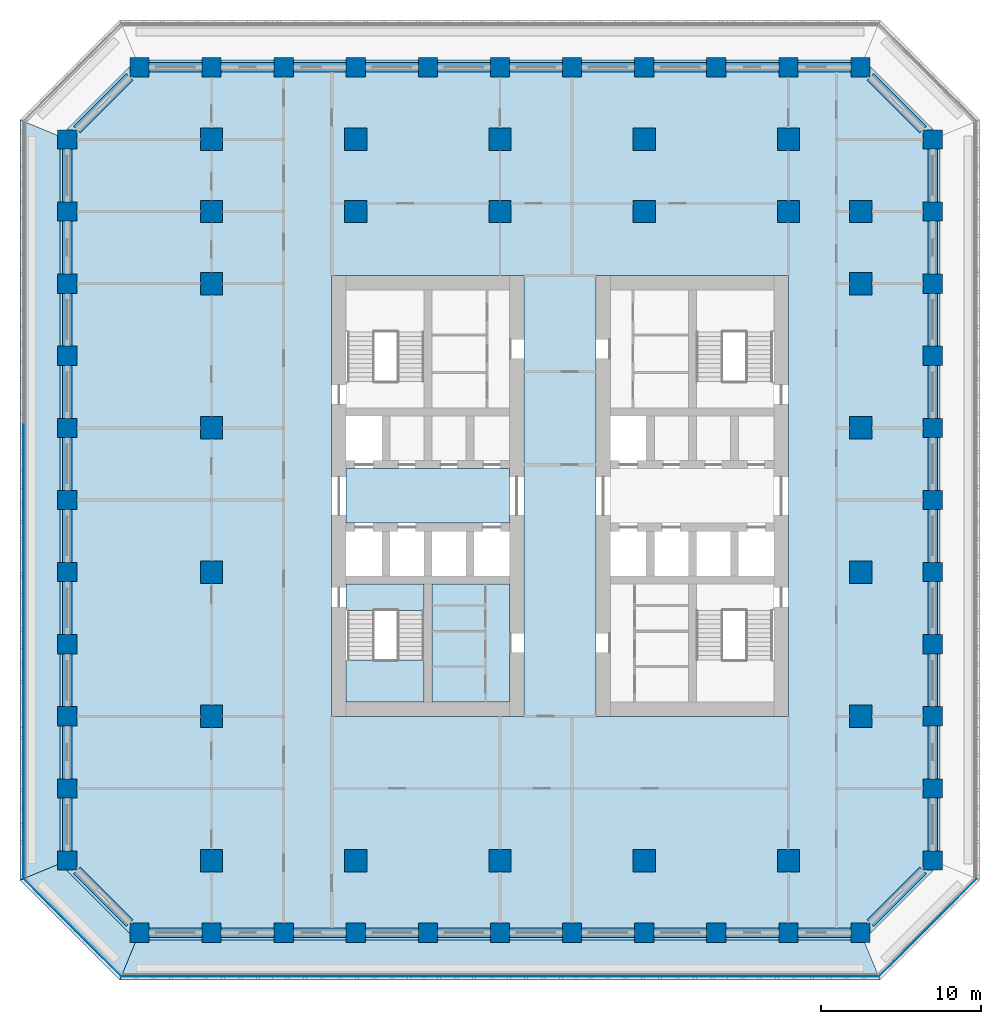
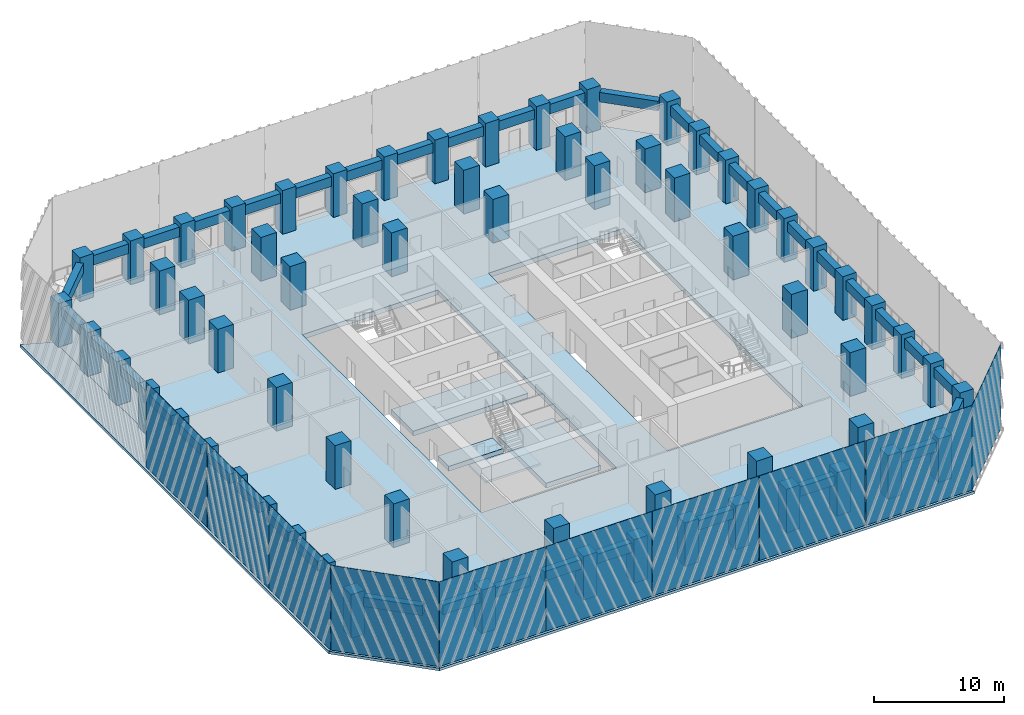
# One storey, part 1 of 19: 68 columns, 44 beams, 10 plates, 8 slabs, 1 element without a shape of its own.
"""IFC4 building model written with IfcOpenShell, lengths in metres."""

from ifc_helpers import new_model, si_unit, direction, frame, origin, origin_2d, place, context, subcontext, project, spatial, polyline, rectangle, outline, extrude, material, layer, layer_set, material_profile, profile_set, type_object, element, aggregate, save


model = new_model("IFC4")

# Units and contexts
model_context = context("Model", 3, precision=1e-05, world=origin(), true_north=direction((0.0, 1.0)))
body_context = subcontext(model_context, "Body", "Model", "MODEL_VIEW")
ifc_project = project(units=[si_unit("LENGTHUNIT", "METRE"), si_unit("AREAUNIT", "SQUARE_METRE"), si_unit("VOLUMEUNIT", "CUBIC_METRE"), si_unit("PLANEANGLEUNIT", "RADIAN"), si_unit("MASSUNIT", "GRAM", prefix="KILO")], contexts=[model_context])

# Site, building, storey
site_placement = place(None, origin())
site = spatial("IfcSite", under=ifc_project, at=site_placement, CompositionType="ELEMENT")
building_placement = place(site_placement, origin())
building = spatial("IfcBuilding", under=site, at=building_placement, Name="Corbel Stack Research Tower", CompositionType="ELEMENT")
storey_placement = place(building_placement, frame((0.0, 0.0, 133.10009765625)))
storey = spatial("IfcBuildingStorey", under=building, at=storey_placement, Name="L30", CompositionType="ELEMENT", Elevation=133.10009765625)

# Columns
ifc_material_1 = material(Name="Concrete C70/85", Category="concrete")
ifc_material_profile_1 = material_profile(ifc_material_1, rectangle(XDim=1.199951171875, YDim=1.199951171875, at=origin_2d()), Name="RC 1200 x 1200")
ifc_profile_set_1 = profile_set([ifc_material_profile_1], Name="Concrete C70/85")
column_type_1 = type_object("IfcColumnType", Name="C-1200-70", PredefinedType="COLUMN", material=ifc_profile_set_1)
for number, where, z_axis, x_axis, name in (
    (1, (-27.0, -18.0, 0.0), (0.0, 0.0, 1.0), (1.0, 0.0, 0.0), "Column 2/D L30"),
    (2, (-27.0, -13.5, 0.0), (0.0, 0.0, 1.0), (1.0, 0.0, 0.0), "Column 2/E L30"),
    (3, (-27.0, -9.0, 0.0), (0.0, 0.0, 1.0), (1.0, 0.0, 0.0), "Column 2/F L30"),
    (4, (-27.0, -4.5, 0.0), (0.0, 0.0, 1.0), (1.0, 0.0, 0.0), "Column 2/G L30"),
    (5, (-27.0, 0.0, 0.0), (0.0, 0.0, 1.0), (1.0, 0.0, 0.0), "Column 2/H L30"),
    (6, (-27.0, 4.5, 0.0), (0.0, 0.0, 1.0), (1.0, 0.0, 0.0), "Column 2/J L30"),
    (7, (-27.0, 9.0, 0.0), (0.0, 0.0, 1.0), (1.0, 0.0, 0.0), "Column 2/K L30"),
    (8, (-27.0, 13.5, 0.0), (0.0, 0.0, 1.0), (1.0, 0.0, 0.0), "Column 2/L L30"),
    (9, (-27.0, 18.0, 0.0), (0.0, 0.0, 1.0), (1.0, 0.0, 0.0), "Column 2/M L30"),
    (10, (-27.0, 22.5, 0.0), (0.0, 0.0, 1.0), (1.0, 0.0, 0.0), "Column 2/N L30"),
    (11, (-27.0, 27.0, 0.0), (0.0, 0.0, 1.0), (1.0, 0.0, 0.0), "Column 2/P L30"),
    (12, (-22.5, -22.5, 0.0), (0.0, 0.0, 1.0), (1.0, 0.0, 0.0), "Column 3/C L30"),
    (13, (-22.5, 31.5, 0.0), (0.0, 0.0, 1.0), (1.0, 0.0, 0.0), "Column 3/Q L30"),
    (14, (-18.0, -22.5, 0.0), (0.0, 0.0, 1.0), (1.0, 0.0, 0.0), "Column 4/C L30"),
    (15, (-18.0, 31.5, 0.0), (0.0, 0.0, 1.0), (1.0, 0.0, 0.0), "Column 4/Q L30"),
    (16, (-13.5, -22.5, 0.0), (0.0, 0.0, 1.0), (1.0, 0.0, 0.0), "Column 5/C L30"),
    (17, (-13.5, 31.5, 0.0), (0.0, 0.0, 1.0), (1.0, 0.0, 0.0), "Column 5/Q L30"),
    (18, (-9.0, -22.5, 0.0), (0.0, 0.0, 1.0), (1.0, 0.0, 0.0), "Column 6/C L30"),
    (19, (-9.0, 31.5, 0.0), (0.0, 0.0, 1.0), (1.0, 0.0, 0.0), "Column 6/Q L30"),
    (20, (-4.5, -22.5, 0.0), (0.0, 0.0, 1.0), (1.0, 0.0, 0.0), "Column 7/C L30"),
    (21, (-4.5, 31.5, 0.0), (0.0, 0.0, 1.0), (1.0, 0.0, 0.0), "Column 7/Q L30"),
    (22, (0.0, -22.5, 0.0), (0.0, 0.0, 1.0), (1.0, 0.0, 0.0), "Column 8/C L30"),
    (23, (0.0, 31.5, 0.0), (0.0, 0.0, 1.0), (1.0, 0.0, 0.0), "Column 8/Q L30"),
    (24, (4.5, -22.5, 0.0), (0.0, 0.0, 1.0), (1.0, 0.0, 0.0), "Column 9/C L30"),
    (25, (4.5, 31.5, 0.0), (0.0, 0.0, 1.0), (1.0, 0.0, 0.0), "Column 9/Q L30"),
    (26, (9.0, -22.5, 0.0), (0.0, 0.0, 1.0), (1.0, 0.0, 0.0), "Column 10/C L30"),
    (27, (9.0, 31.5, 0.0), (0.0, 0.0, 1.0), (1.0, 0.0, 0.0), "Column 10/Q L30"),
    (28, (13.5, -22.5, 0.0), (0.0, 0.0, 1.0), (1.0, 0.0, 0.0), "Column 11/C L30"),
    (29, (13.5, 31.5, 0.0), (0.0, 0.0, 1.0), (1.0, 0.0, 0.0), "Column 11/Q L30"),
    (30, (18.0, -22.5, 0.0), (0.0, 0.0, 1.0), (1.0, 0.0, 0.0), "Column 12/C L30"),
    (31, (18.0, 31.5, 0.0), (0.0, 0.0, 1.0), (1.0, 0.0, 0.0), "Column 12/Q L30"),
    (32, (22.5, -22.5, 0.0), (0.0, 0.0, 1.0), (1.0, 0.0, 0.0), "Column 13/C L30"),
    (33, (22.5, 31.5, 0.0), (0.0, 0.0, 1.0), (1.0, 0.0, 0.0), "Column 13/Q L30"),
    (34, (27.0, -18.0, 0.0), (0.0, 0.0, 1.0), (1.0, 0.0, 0.0), "Column 14/D L30"),
    (35, (27.0, -13.5, 0.0), (0.0, 0.0, 1.0), (1.0, 0.0, 0.0), "Column 14/E L30"),
    (36, (27.0, -9.0, 0.0), (0.0, 0.0, 1.0), (1.0, 0.0, 0.0), "Column 14/F L30"),
    (37, (27.0, -4.5, 0.0), (0.0, 0.0, 1.0), (1.0, 0.0, 0.0), "Column 14/G L30"),
    (38, (27.0, 0.0, 0.0), (0.0, 0.0, 1.0), (1.0, 0.0, 0.0), "Column 14/H L30"),
    (39, (27.0, 4.5, 0.0), (0.0, 0.0, 1.0), (1.0, 0.0, 0.0), "Column 14/J L30"),
    (40, (27.0, 9.0, 0.0), (0.0, 0.0, 1.0), (1.0, 0.0, 0.0), "Column 14/K L30"),
    (41, (27.0, 13.5, 0.0), (0.0, 0.0, 1.0), (1.0, 0.0, 0.0), "Column 14/L L30"),
    (42, (27.0, 18.0, 0.0), (0.0, 0.0, 1.0), (1.0, 0.0, 0.0), "Column 14/M L30"),
    (43, (27.0, 22.5, 0.0), (0.0, 0.0, 1.0), (1.0, 0.0, 0.0), "Column 14/N L30"),
    (44, (27.0, 27.0, 0.0), (0.0, 0.0, 1.0), (1.0, 0.0, 0.0), "Column 14/P L30"),
):
    element("IfcColumn", number, at=place(storey_placement, frame(where, z_axis=z_axis, x_axis=x_axis)), inside=storey, type_object=column_type_1, Name=name, PredefinedType="COLUMN", context=body_context, shape_type="SweptSolid", body=[
        extrude(rectangle(XDim=1.199951171875, YDim=1.199951171875, at=origin_2d()), origin(), (0.0, 0.0, 1.0), 4.099853515625),
    ])
ifc_material_2 = material(Name="Concrete C70/85", Category="concrete")
ifc_material_profile_2 = material_profile(ifc_material_2, rectangle(XDim=1.39990234375, YDim=1.39990234375, at=origin_2d()), Name="RC 1400 x 1400")
ifc_profile_set_2 = profile_set([ifc_material_profile_2], Name="Concrete C70/85")
column_type_2 = type_object("IfcColumnType", Name="C-1400-70", PredefinedType="COLUMN", material=ifc_profile_set_2)
for number, where, z_axis, x_axis, name in (
    (45, (-18.0, -18.0, 0.0), (0.0, 0.0, 1.0), (1.0, 0.0, 0.0), "Column 4/D L30"),
    (46, (-18.0, -9.0, 0.0), (0.0, 0.0, 1.0), (1.0, 0.0, 0.0), "Column 4/F L30"),
    (47, (-18.0, 0.0, 0.0), (0.0, 0.0, 1.0), (1.0, 0.0, 0.0), "Column 4/H L30"),
    (48, (-18.0, 9.0, 0.0), (0.0, 0.0, 1.0), (1.0, 0.0, 0.0), "Column 4/K L30"),
    (49, (-18.0, 18.0, 0.0), (0.0, 0.0, 1.0), (1.0, 0.0, 0.0), "Column 4/M L30"),
    (50, (-18.0, 22.5, 0.0), (0.0, 0.0, 1.0), (1.0, 0.0, 0.0), "Column 4/N L30"),
    (51, (-18.0, 27.0, 0.0), (0.0, 0.0, 1.0), (1.0, 0.0, 0.0), "Column 4/P L30"),
    (52, (-9.0, -18.0, 0.0), (0.0, 0.0, 1.0), (1.0, 0.0, 0.0), "Column 6/D L30"),
    (53, (-9.0, 22.5, 0.0), (0.0, 0.0, 1.0), (1.0, 0.0, 0.0), "Column 6/N L30"),
    (54, (-9.0, 27.0, 0.0), (0.0, 0.0, 1.0), (1.0, 0.0, 0.0), "Column 6/P L30"),
    (55, (0.0, -18.0, 0.0), (0.0, 0.0, 1.0), (1.0, 0.0, 0.0), "Column 8/D L30"),
    (56, (0.0, 22.5, 0.0), (0.0, 0.0, 1.0), (1.0, 0.0, 0.0), "Column 8/N L30"),
    (57, (0.0, 27.0, 0.0), (0.0, 0.0, 1.0), (1.0, 0.0, 0.0), "Column 8/P L30"),
    (58, (9.0, -18.0, 0.0), (0.0, 0.0, 1.0), (1.0, 0.0, 0.0), "Column 10/D L30"),
    (59, (9.0, 22.5, 0.0), (0.0, 0.0, 1.0), (1.0, 0.0, 0.0), "Column 10/N L30"),
    (60, (9.0, 27.0, 0.0), (0.0, 0.0, 1.0), (1.0, 0.0, 0.0), "Column 10/P L30"),
    (61, (18.0, -18.0, 0.0), (0.0, 0.0, 1.0), (1.0, 0.0, 0.0), "Column 12/D L30"),
    (62, (18.0, 22.5, 0.0), (0.0, 0.0, 1.0), (1.0, 0.0, 0.0), "Column 12/N L30"),
    (63, (18.0, 27.0, 0.0), (0.0, 0.0, 1.0), (1.0, 0.0, 0.0), "Column 12/P L30"),
    (64, (22.5, -9.0, 0.0), (0.0, 0.0, 1.0), (1.0, 0.0, 0.0), "Column 13/F L30"),
    (65, (22.5, 0.0, 0.0), (0.0, 0.0, 1.0), (1.0, 0.0, 0.0), "Column 13/H L30"),
    (66, (22.5, 9.0, 0.0), (0.0, 0.0, 1.0), (1.0, 0.0, 0.0), "Column 13/K L30"),
    (67, (22.5, 18.0, 0.0), (0.0, 0.0, 1.0), (1.0, 0.0, 0.0), "Column 13/M L30"),
    (68, (22.5, 22.5, 0.0), (0.0, 0.0, 1.0), (1.0, 0.0, 0.0), "Column 13/N L30"),
):
    element("IfcColumn", number, at=place(storey_placement, frame(where, z_axis=z_axis, x_axis=x_axis)), inside=storey, type_object=column_type_2, Name=name, PredefinedType="COLUMN", context=body_context, shape_type="SweptSolid", body=[
        extrude(rectangle(XDim=1.39990234375, YDim=1.39990234375, at=origin_2d()), origin(), (0.0, 0.0, 1.0), 4.099853515625),
    ])

# Beams
ifc_material_3 = material(Name="Concrete C60/75", Category="concrete")
ifc_material_profile_3 = material_profile(ifc_material_3, rectangle(XDim=0.60009765625, YDim=0.89990234375, at=origin_2d()), Name="RC 600 x 900")
ifc_profile_set_3 = profile_set([ifc_material_profile_3], Name="Concrete C60/75")
beam_type = type_object("IfcBeamType", Name="SB-600-900-450", PredefinedType="SPANDREL", material=ifc_profile_set_3)
for number, where, z_axis, x_axis, name in (
    (69, (-21.89990234375, -22.5, 3.199951171875), (1.0, 0.0, 0.0), (0.0, 1.0, 0.0), "Spandrel beam L30-01"),
    (70, (-17.39990234375, -22.5, 3.199951171875), (1.0, 0.0, 0.0), (0.0, 1.0, 0.0), "Spandrel beam L30-02"),
    (71, (-12.89990234375, -22.5, 3.199951171875), (1.0, 0.0, 0.0), (0.0, 1.0, 0.0), "Spandrel beam L30-03"),
    (72, (-8.39990234375, -22.5, 3.199951171875), (1.0, 0.0, 0.0), (0.0, 1.0, 0.0), "Spandrel beam L30-04"),
    (73, (-3.89990234375, -22.5, 3.199951171875), (1.0, 0.0, 0.0), (0.0, 1.0, 0.0), "Spandrel beam L30-05"),
    (74, (0.60009765625, -22.5, 3.199951171875), (1.0, 0.0, 0.0), (0.0, 1.0, 0.0), "Spandrel beam L30-06"),
    (75, (5.10009765625, -22.5, 3.199951171875), (1.0, 0.0, 0.0), (0.0, 1.0, 0.0), "Spandrel beam L30-07"),
    (76, (9.60009765625, -22.5, 3.199951171875), (1.0, 0.0, 0.0), (0.0, 1.0, 0.0), "Spandrel beam L30-08"),
    (77, (14.10009765625, -22.5, 3.199951171875), (1.0, 0.0, 0.0), (0.0, 1.0, 0.0), "Spandrel beam L30-09"),
    (78, (18.60009765625, -22.5, 3.199951171875), (1.0, 0.0, 0.0), (0.0, 1.0, 0.0), "Spandrel beam L30-10"),
):
    element("IfcBeam", number, at=place(storey_placement, frame(where, z_axis=z_axis, x_axis=x_axis)), inside=storey, type_object=beam_type, Name=name, PredefinedType="SPANDREL", context=body_context, shape_type="SweptSolid", body=[
        extrude(rectangle(XDim=0.60009765625, YDim=0.89990234375, at=origin_2d()), origin(), (0.0, 0.0, 1.0), 3.2998046875),
    ])
beam_1_placement = place(storey_placement, frame((23.10009765625, -21.89990234375, 3.199951171875), z_axis=(0.707106781187, 0.707106781187, 0.0), x_axis=(-0.707106781187, 0.707106781187, 0.0)))
element("IfcBeam", 79, at=beam_1_placement, inside=storey, type_object=beam_type, Name="Spandrel beam L30-11", PredefinedType="SPANDREL", context=body_context, shape_type="SweptSolid", body=[
    extrude(rectangle(XDim=0.60009765625, YDim=0.89990234375, at=origin_2d()), origin(), (0.0, 0.0, 1.0), 4.666748046875),
])
for number, where, z_axis, x_axis, name in (
    (80, (27.0, -17.39990234375, 3.199951171875), (0.0, 1.0, 0.0), (-1.0, 0.0, 0.0), "Spandrel beam L30-12"),
    (81, (27.0, -12.89990234375, 3.199951171875), (0.0, 1.0, 0.0), (-1.0, 0.0, 0.0), "Spandrel beam L30-13"),
    (82, (27.0, -8.39990234375, 3.199951171875), (0.0, 1.0, 0.0), (-1.0, 0.0, 0.0), "Spandrel beam L30-14"),
    (83, (27.0, -3.89990234375, 3.199951171875), (0.0, 1.0, 0.0), (-1.0, 0.0, 0.0), "Spandrel beam L30-15"),
    (84, (27.0, 0.60009765625, 3.199951171875), (0.0, 1.0, 0.0), (-1.0, 0.0, 0.0), "Spandrel beam L30-16"),
    (85, (27.0, 5.10009765625, 3.199951171875), (0.0, 1.0, 0.0), (-1.0, 0.0, 0.0), "Spandrel beam L30-17"),
    (86, (27.0, 9.60009765625, 3.199951171875), (0.0, 1.0, 0.0), (-1.0, 0.0, 0.0), "Spandrel beam L30-18"),
    (87, (27.0, 14.10009765625, 3.199951171875), (0.0, 1.0, 0.0), (-1.0, 0.0, 0.0), "Spandrel beam L30-19"),
    (88, (27.0, 18.60009765625, 3.199951171875), (0.0, 1.0, 0.0), (-1.0, 0.0, 0.0), "Spandrel beam L30-20"),
    (89, (27.0, 23.10009765625, 3.199951171875), (0.0, 1.0, 0.0), (-1.0, 0.0, 0.0), "Spandrel beam L30-21"),
):
    element("IfcBeam", number, at=place(storey_placement, frame(where, z_axis=z_axis, x_axis=x_axis)), inside=storey, type_object=beam_type, Name=name, PredefinedType="SPANDREL", context=body_context, shape_type="SweptSolid", body=[
        extrude(rectangle(XDim=0.60009765625, YDim=0.89990234375, at=origin_2d()), origin(), (0.0, 0.0, 1.0), 3.2998046875),
    ])
beam_2_placement = place(storey_placement, frame((26.39990234375, 27.60009765625, 3.199951171875), z_axis=(-0.707106781187, 0.707106781187, 0.0), x_axis=(-0.707106781187, -0.707106781187, 0.0)))
element("IfcBeam", 90, at=beam_2_placement, inside=storey, type_object=beam_type, Name="Spandrel beam L30-22", PredefinedType="SPANDREL", context=body_context, shape_type="SweptSolid", body=[
    extrude(rectangle(XDim=0.60009765625, YDim=0.89990234375, at=origin_2d()), origin(), (0.0, 0.0, 1.0), 4.666748046875),
])
for number, where, z_axis, x_axis, name in (
    (91, (21.89990234375, 31.5, 3.199951171875), (-1.0, 0.0, 0.0), (0.0, -1.0, 0.0), "Spandrel beam L30-23"),
    (92, (17.39990234375, 31.5, 3.199951171875), (-1.0, 0.0, 0.0), (0.0, -1.0, 0.0), "Spandrel beam L30-24"),
    (93, (12.89990234375, 31.5, 3.199951171875), (-1.0, 0.0, 0.0), (0.0, -1.0, 0.0), "Spandrel beam L30-25"),
    (94, (8.39990234375, 31.5, 3.199951171875), (-1.0, 0.0, 0.0), (0.0, -1.0, 0.0), "Spandrel beam L30-26"),
    (95, (3.89990234375, 31.5, 3.199951171875), (-1.0, 0.0, 0.0), (0.0, -1.0, 0.0), "Spandrel beam L30-27"),
    (96, (-0.60009765625, 31.5, 3.199951171875), (-1.0, 0.0, 0.0), (0.0, -1.0, 0.0), "Spandrel beam L30-28"),
    (97, (-5.10009765625, 31.5, 3.199951171875), (-1.0, 0.0, 0.0), (0.0, -1.0, 0.0), "Spandrel beam L30-29"),
    (98, (-9.60009765625, 31.5, 3.199951171875), (-1.0, 0.0, 0.0), (0.0, -1.0, 0.0), "Spandrel beam L30-30"),
    (99, (-14.10009765625, 31.5, 3.199951171875), (-1.0, 0.0, 0.0), (0.0, -1.0, 0.0), "Spandrel beam L30-31"),
    (100, (-18.60009765625, 31.5, 3.199951171875), (-1.0, 0.0, 0.0), (0.0, -1.0, 0.0), "Spandrel beam L30-32"),
):
    element("IfcBeam", number, at=place(storey_placement, frame(where, z_axis=z_axis, x_axis=x_axis)), inside=storey, type_object=beam_type, Name=name, PredefinedType="SPANDREL", context=body_context, shape_type="SweptSolid", body=[
        extrude(rectangle(XDim=0.60009765625, YDim=0.89990234375, at=origin_2d()), origin(), (0.0, 0.0, 1.0), 3.2998046875),
    ])
beam_3_placement = place(storey_placement, frame((-23.10009765625, 30.89990234375, 3.199951171875), z_axis=(-0.707106781187, -0.707106781187, 0.0), x_axis=(0.707106781187, -0.707106781187, 0.0)))
element("IfcBeam", 101, at=beam_3_placement, inside=storey, type_object=beam_type, Name="Spandrel beam L30-33", PredefinedType="SPANDREL", context=body_context, shape_type="SweptSolid", body=[
    extrude(rectangle(XDim=0.60009765625, YDim=0.89990234375, at=origin_2d()), origin(), (0.0, 0.0, 1.0), 4.666748046875),
])
for number, where, z_axis, x_axis, name in (
    (102, (-27.0, 26.39990234375, 3.199951171875), (0.0, -1.0, 0.0), (1.0, 0.0, 0.0), "Spandrel beam L30-34"),
    (103, (-27.0, 21.89990234375, 3.199951171875), (0.0, -1.0, 0.0), (1.0, 0.0, 0.0), "Spandrel beam L30-35"),
    (104, (-27.0, 17.39990234375, 3.199951171875), (0.0, -1.0, 0.0), (1.0, 0.0, 0.0), "Spandrel beam L30-36"),
    (105, (-27.0, 12.89990234375, 3.199951171875), (0.0, -1.0, 0.0), (1.0, 0.0, 0.0), "Spandrel beam L30-37"),
    (106, (-27.0, 8.39990234375, 3.199951171875), (0.0, -1.0, 0.0), (1.0, 0.0, 0.0), "Spandrel beam L30-38"),
    (107, (-27.0, 3.89990234375, 3.199951171875), (0.0, -1.0, 0.0), (1.0, 0.0, 0.0), "Spandrel beam L30-39"),
    (108, (-27.0, -0.60009765625, 3.199951171875), (0.0, -1.0, 0.0), (1.0, 0.0, 0.0), "Spandrel beam L30-40"),
    (109, (-27.0, -5.10009765625, 3.199951171875), (0.0, -1.0, 0.0), (1.0, 0.0, 0.0), "Spandrel beam L30-41"),
    (110, (-27.0, -9.60009765625, 3.199951171875), (0.0, -1.0, 0.0), (1.0, 0.0, 0.0), "Spandrel beam L30-42"),
    (111, (-27.0, -14.10009765625, 3.199951171875), (0.0, -1.0, 0.0), (1.0, 0.0, 0.0), "Spandrel beam L30-43"),
):
    element("IfcBeam", number, at=place(storey_placement, frame(where, z_axis=z_axis, x_axis=x_axis)), inside=storey, type_object=beam_type, Name=name, PredefinedType="SPANDREL", context=body_context, shape_type="SweptSolid", body=[
        extrude(rectangle(XDim=0.60009765625, YDim=0.89990234375, at=origin_2d()), origin(), (0.0, 0.0, 1.0), 3.2998046875),
    ])
beam_4_placement = place(storey_placement, frame((-26.39990234375, -18.60009765625, 3.199951171875), z_axis=(0.707106781187, -0.707106781187, 0.0), x_axis=(0.707106781187, 0.707106781187, 0.0)))
element("IfcBeam", 112, at=beam_4_placement, inside=storey, type_object=beam_type, Name="Spandrel beam L30-44", PredefinedType="SPANDREL", context=body_context, shape_type="SweptSolid", body=[
    extrude(rectangle(XDim=0.60009765625, YDim=0.89990234375, at=origin_2d()), origin(), (0.0, 0.0, 1.0), 4.666748046875),
])

# Plates
ifc_material_4 = material(Name="Fritted glass", Category="glass")
ifc_layer_1 = layer(ifc_material_4, 0.02490234375)
ifc_layer_set_1 = layer_set([ifc_layer_1], Name="Fritted glass")
plate_type = type_object("IfcPlateType", Name="Fritted glass panel 25", PredefinedType="SHEET", material=ifc_layer_set_1)
for number, where, z_axis, x_axis, name in (
    (113, (-18.911376953125, -25.237548828125, 0.0), (0.0, 0.0, 1.0), (1.0, 0.0, 0.0), "Fritted glass L30 S1"),
    (114, (-9.45556640625, -25.237548828125, 0.0), (0.0, 0.0, 1.0), (1.0, 0.0, 0.0), "Fritted glass L30 S2"),
    (115, (0.0, -25.237548828125, 0.0), (0.0, 0.0, 1.0), (1.0, 0.0, 0.0), "Fritted glass L30 S3"),
    (116, (9.45556640625, -25.237548828125, 0.0), (0.0, 0.0, 1.0), (1.0, 0.0, 0.0), "Fritted glass L30 S4"),
    (117, (18.911376953125, -25.237548828125, 0.0), (0.0, 0.0, 1.0), (1.0, 0.0, 0.0), "Fritted glass L30 S5"),
):
    element("IfcPlate", number, at=place(storey_placement, frame(where, z_axis=z_axis, x_axis=x_axis)), inside=storey, type_object=plate_type, Name=name, PredefinedType="SHEET", context=body_context, shape_type="SweptSolid", body=[
        extrude(rectangle(XDim=9.3955078125, YDim=0.02490234375, at=origin_2d()), origin(), (0.0, 0.0, 1.0), 7.949951171875),
    ])
plate_1_placement = place(storey_placement, frame((26.685791015625, -22.185791015625, 0.0), z_axis=(0.0, 0.0, 1.0), x_axis=(0.707106781187, 0.707106781187, 0.0)))
element("IfcPlate", 118, at=plate_1_placement, inside=storey, type_object=plate_type, Name="Fritted glass L30 SE1", PredefinedType="SHEET", context=body_context, shape_type="SweptSolid", body=[
    extrude(rectangle(XDim=8.58203125, YDim=0.02490234375, at=origin_2d()), origin(), (0.0, 0.0, 1.0), 7.949951171875),
])
for number, where, z_axis, x_axis, name in (
    (119, (-29.737548828125, 4.5, 0.0), (0.0, 0.0, 1.0), (0.0, -1.0, 0.0), "Fritted glass L30 W3"),
    (120, (-29.737548828125, -4.95556640625, 0.0), (0.0, 0.0, 1.0), (0.0, -1.0, 0.0), "Fritted glass L30 W4"),
    (121, (-29.737548828125, -14.411376953125, 0.0), (0.0, 0.0, 1.0), (0.0, -1.0, 0.0), "Fritted glass L30 W5"),
):
    element("IfcPlate", number, at=place(storey_placement, frame(where, z_axis=z_axis, x_axis=x_axis)), inside=storey, type_object=plate_type, Name=name, PredefinedType="SHEET", context=body_context, shape_type="SweptSolid", body=[
        extrude(rectangle(XDim=9.3955078125, YDim=0.02490234375, at=origin_2d()), origin(), (0.0, 0.0, 1.0), 7.949951171875),
    ])
plate_2_placement = place(storey_placement, frame((-26.685791015625, -22.185791015625, 0.0), z_axis=(0.0, 0.0, 1.0), x_axis=(0.707106781187, -0.707106781187, 0.0)))
element("IfcPlate", 122, at=plate_2_placement, inside=storey, type_object=plate_type, Name="Fritted glass L30 SW1", PredefinedType="SHEET", context=body_context, shape_type="SweptSolid", body=[
    extrude(rectangle(XDim=8.58203125, YDim=0.02490234375, at=origin_2d()), origin(), (0.0, 0.0, 1.0), 7.949951171875),
])

# Slabs
ifc_material_5 = material(Name="Concrete C45/55", Category="concrete")
ifc_layer_2 = layer(ifc_material_5, 0.25)
ifc_layer_set_2 = layer_set([ifc_layer_2], Name="Concrete C45/55")
slab_type_1 = type_object("IfcSlabType", Name="PT balcony slab 250 C45/55", PredefinedType="FLOOR", material=ifc_layer_set_2)
slab_1_placement = place(storey_placement, frame((0.0, 0.0, -0.25)))
element("IfcSlab", 123, at=slab_1_placement, inside=storey, type_object=slab_type_1, Name="Loggia slab L30 S", PredefinedType="FLOOR", context=body_context, shape_type="SweptSolid", body=[
    extrude(outline(polyline([(22.74853515625, -23.10009765625), (21.89990234375, -23.10009765625), (21.89990234375, -22.949951171875), (18.60009765625, -22.949951171875), (18.60009765625, -23.10009765625), (17.39990234375, -23.10009765625), (17.39990234375, -22.949951171875), (14.10009765625, -22.949951171875), (14.10009765625, -23.10009765625), (12.89990234375, -23.10009765625), (12.89990234375, -22.949951171875), (9.60009765625, -22.949951171875), (9.60009765625, -23.10009765625), (8.39990234375, -23.10009765625), (8.39990234375, -22.949951171875), (5.10009765625, -22.949951171875), (5.10009765625, -23.10009765625), (3.89990234375, -23.10009765625), (3.89990234375, -22.949951171875), (0.60009765625, -22.949951171875), (0.60009765625, -23.10009765625), (-0.60009765625, -23.10009765625), (-0.60009765625, -22.949951171875), (-3.89990234375, -22.949951171875), (-3.89990234375, -23.10009765625), (-5.10009765625, -23.10009765625), (-5.10009765625, -22.949951171875), (-8.39990234375, -22.949951171875), (-8.39990234375, -23.10009765625), (-9.60009765625, -23.10009765625), (-9.60009765625, -22.949951171875), (-12.89990234375, -22.949951171875), (-12.89990234375, -23.10009765625), (-14.10009765625, -23.10009765625), (-14.10009765625, -22.949951171875), (-17.39990234375, -22.949951171875), (-17.39990234375, -23.10009765625), (-18.60009765625, -23.10009765625), (-18.60009765625, -22.949951171875), (-21.89990234375, -22.949951171875), (-21.89990234375, -23.10009765625), (-22.74853515625, -23.10009765625), (-23.721923828125, -25.449951171875), (23.721923828125, -25.449951171875), (22.74853515625, -23.10009765625)])), origin(), (0.0, 0.0, 1.0), 0.25),
])
slab_2_placement = place(storey_placement, frame((0.0, 0.0, -0.25)))
element("IfcSlab", 124, at=slab_2_placement, inside=storey, type_object=slab_type_1, Name="Loggia slab L30 W", PredefinedType="FLOOR", context=body_context, shape_type="SweptSolid", body=[
    extrude(outline(polyline([(-27.60009765625, -18.24853515625), (-27.60009765625, -17.39990234375), (-27.449951171875, -17.39990234375), (-27.449951171875, -14.10009765625), (-27.60009765625, -14.10009765625), (-27.60009765625, -12.89990234375), (-27.449951171875, -12.89990234375), (-27.449951171875, -9.60009765625), (-27.60009765625, -9.60009765625), (-27.60009765625, -8.39990234375), (-27.449951171875, -8.39990234375), (-27.449951171875, -5.10009765625), (-27.60009765625, -5.10009765625), (-27.60009765625, -3.89990234375), (-27.449951171875, -3.89990234375), (-27.449951171875, -0.60009765625), (-27.60009765625, -0.60009765625), (-27.60009765625, 0.60009765625), (-27.449951171875, 0.60009765625), (-27.449951171875, 3.89990234375), (-27.60009765625, 3.89990234375), (-27.60009765625, 5.10009765625), (-27.449951171875, 5.10009765625), (-27.449951171875, 8.39990234375), (-27.60009765625, 8.39990234375), (-27.60009765625, 9.60009765625), (-27.449951171875, 9.60009765625), (-27.449951171875, 12.89990234375), (-27.60009765625, 12.89990234375), (-27.60009765625, 14.10009765625), (-27.449951171875, 14.10009765625), (-27.449951171875, 17.39990234375), (-27.60009765625, 17.39990234375), (-27.60009765625, 18.60009765625), (-27.449951171875, 18.60009765625), (-27.449951171875, 21.89990234375), (-27.60009765625, 21.89990234375), (-27.60009765625, 23.10009765625), (-27.449951171875, 23.10009765625), (-27.449951171875, 26.39990234375), (-27.60009765625, 26.39990234375), (-27.60009765625, 27.24853515625), (-29.949951171875, 28.221923828125), (-29.949951171875, -19.221923828125), (-27.60009765625, -18.24853515625)])), origin(), (0.0, 0.0, 1.0), 0.25),
])
slab_3_placement = place(storey_placement, frame((0.0, 0.0, -0.25)))
element("IfcSlab", 125, at=slab_3_placement, inside=storey, type_object=slab_type_1, Name="Loggia slab L30 SW", PredefinedType="FLOOR", context=body_context, shape_type="SweptSolid", body=[
    extrude(outline(polyline([(-22.74853515625, -23.10009765625), (-23.10009765625, -23.10009765625), (-23.10009765625, -22.536376953125), (-27.036376953125, -18.60009765625), (-27.60009765625, -18.60009765625), (-27.60009765625, -18.24853515625), (-29.949951171875, -19.221923828125), (-23.721923828125, -25.449951171875), (-22.74853515625, -23.10009765625)])), origin(), (0.0, 0.0, 1.0), 0.25),
])
ifc_material_6 = material(Name="Concrete C45/55", Category="concrete")
ifc_layer_3 = layer(ifc_material_6, 0.449951171875)
ifc_layer_set_3 = layer_set([ifc_layer_3], Name="Concrete C45/55")
slab_type_2 = type_object("IfcSlabType", Name="PT-450", PredefinedType="FLOOR", material=ifc_layer_set_3)
slab_4_placement = place(storey_placement, frame((0.0, 0.0, -0.4501953125)))
element("IfcSlab", 126, at=slab_4_placement, inside=storey, type_object=slab_type_2, Name="Floor slab L30", PredefinedType="FLOOR", context=body_context, shape_type="SweptSolid", body=[
    extrude(outline(polyline([(-22.686279296875, -22.949951171875), (22.686279296875, -22.949951171875), (27.449951171875, -18.186279296875), (27.449951171875, 27.186279296875), (22.686279296875, 31.949951171875), (-22.686279296875, 31.949951171875), (-27.449951171875, 27.186279296875), (-27.449951171875, -18.186279296875), (-22.686279296875, -22.949951171875)]), holes=[polyline([(21.800048828125, 21.800048828125), (21.800048828125, 23.199951171875), (23.199951171875, 23.199951171875), (23.199951171875, 21.800048828125), (21.800048828125, 21.800048828125)]), polyline([(23.199951171875, 17.300048828125), (21.800048828125, 17.300048828125), (21.800048828125, 18.699951171875), (23.199951171875, 18.699951171875), (23.199951171875, 17.300048828125)]), polyline([(21.800048828125, 8.300048828125), (21.800048828125, 9.699951171875), (23.199951171875, 9.699951171875), (23.199951171875, 8.300048828125), (21.800048828125, 8.300048828125)]), polyline([(23.199951171875, -0.699951171875), (21.800048828125, -0.699951171875), (21.800048828125, 0.699951171875), (23.199951171875, 0.699951171875), (23.199951171875, -0.699951171875)]), polyline([(21.800048828125, -9.699951171875), (21.800048828125, -8.300048828125), (23.199951171875, -8.300048828125), (23.199951171875, -9.699951171875), (21.800048828125, -9.699951171875)]), polyline([(17.300048828125, 26.300048828125), (17.300048828125, 27.699951171875), (18.699951171875, 27.699951171875), (18.699951171875, 26.300048828125), (17.300048828125, 26.300048828125)]), polyline([(17.300048828125, 21.800048828125), (17.300048828125, 23.199951171875), (18.699951171875, 23.199951171875), (18.699951171875, 21.800048828125), (17.300048828125, 21.800048828125)]), polyline([(17.300048828125, -18.699951171875), (17.300048828125, -17.300048828125), (18.699951171875, -17.300048828125), (18.699951171875, -18.699951171875), (17.300048828125, -18.699951171875)]), polyline([(6.0, -9.0), (6.0, 18.5), (18.0, 18.5), (18.0, -9.0), (6.0, -9.0)]), polyline([(8.300048828125, 26.300048828125), (8.300048828125, 27.699951171875), (9.699951171875, 27.699951171875), (9.699951171875, 26.300048828125), (8.300048828125, 26.300048828125)]), polyline([(8.300048828125, 21.800048828125), (8.300048828125, 23.199951171875), (9.699951171875, 23.199951171875), (9.699951171875, 21.800048828125), (8.300048828125, 21.800048828125)]), polyline([(9.699951171875, -18.699951171875), (8.300048828125, -18.699951171875), (8.300048828125, -17.300048828125), (9.699951171875, -17.300048828125), (9.699951171875, -18.699951171875)]), polyline([(-10.5, -9.0), (-10.5, 18.5), (1.5, 18.5), (1.5, -9.0), (-10.5, -9.0)]), polyline([(-0.699951171875, 26.300048828125), (-0.699951171875, 27.699951171875), (0.699951171875, 27.699951171875), (0.699951171875, 26.300048828125), (-0.699951171875, 26.300048828125)]), polyline([(-0.699951171875, 21.800048828125), (-0.699951171875, 23.199951171875), (0.699951171875, 23.199951171875), (0.699951171875, 21.800048828125), (-0.699951171875, 21.800048828125)]), polyline([(-0.699951171875, -18.699951171875), (-0.699951171875, -17.300048828125), (0.699951171875, -17.300048828125), (0.699951171875, -18.699951171875), (-0.699951171875, -18.699951171875)]), polyline([(-9.699951171875, 26.300048828125), (-9.699951171875, 27.699951171875), (-8.300048828125, 27.699951171875), (-8.300048828125, 26.300048828125), (-9.699951171875, 26.300048828125)]), polyline([(-9.699951171875, 21.800048828125), (-9.699951171875, 23.199951171875), (-8.300048828125, 23.199951171875), (-8.300048828125, 21.800048828125), (-9.699951171875, 21.800048828125)]), polyline([(-9.699951171875, -18.699951171875), (-9.699951171875, -17.300048828125), (-8.300048828125, -17.300048828125), (-8.300048828125, -18.699951171875), (-9.699951171875, -18.699951171875)]), polyline([(-18.699951171875, 26.300048828125), (-18.699951171875, 27.699951171875), (-17.300048828125, 27.699951171875), (-17.300048828125, 26.300048828125), (-18.699951171875, 26.300048828125)]), polyline([(-18.699951171875, 21.800048828125), (-18.699951171875, 23.199951171875), (-17.300048828125, 23.199951171875), (-17.300048828125, 21.800048828125), (-18.699951171875, 21.800048828125)]), polyline([(-18.699951171875, 17.300048828125), (-18.699951171875, 18.699951171875), (-17.300048828125, 18.699951171875), (-17.300048828125, 17.300048828125), (-18.699951171875, 17.300048828125)]), polyline([(-17.300048828125, 8.300048828125), (-18.699951171875, 8.300048828125), (-18.699951171875, 9.699951171875), (-17.300048828125, 9.699951171875), (-17.300048828125, 8.300048828125)]), polyline([(-18.699951171875, -0.699951171875), (-18.699951171875, 0.699951171875), (-17.300048828125, 0.699951171875), (-17.300048828125, -0.699951171875), (-18.699951171875, -0.699951171875)]), polyline([(-17.300048828125, -9.699951171875), (-18.699951171875, -9.699951171875), (-18.699951171875, -8.300048828125), (-17.300048828125, -8.300048828125), (-17.300048828125, -9.699951171875)]), polyline([(-17.300048828125, -18.699951171875), (-18.699951171875, -18.699951171875), (-18.699951171875, -17.300048828125), (-17.300048828125, -17.300048828125), (-17.300048828125, -18.699951171875)])]), origin(), (0.0, 0.0, 1.0), 0.4501953125),
])
slab_5_placement = place(storey_placement, frame((0.0, 0.0, -0.4501953125)))
element("IfcSlab", 127, at=slab_5_placement, inside=storey, type_object=slab_type_2, Name="West core floor L30", PredefinedType="FLOOR", context=body_context, shape_type="SweptSolid", body=[
    extrude(outline(polyline([(0.60009765625, 6.449951171875), (-9.60009765625, 6.449951171875), (-9.60009765625, 3.050048828125), (0.60009765625, 3.050048828125), (0.60009765625, 6.449951171875)])), origin(), (0.0, 0.0, 1.0), 0.4501953125),
])
slab_6_placement = place(storey_placement, frame((0.0, 0.0, -0.4501953125)))
element("IfcSlab", 128, at=slab_6_placement, inside=storey, type_object=slab_type_2, Name="West core floor L30", PredefinedType="FLOOR", context=body_context, shape_type="SweptSolid", body=[
    extrude(outline(polyline([(0.60009765625, -8.10009765625), (0.60009765625, -0.75), (-4.25, -0.75), (-4.25, -8.10009765625), (0.60009765625, -8.10009765625)])), origin(), (0.0, 0.0, 1.0), 0.4501953125),
])
slab_7_placement = place(storey_placement, frame((0.0, 0.0, -0.4501953125)))
element("IfcSlab", 129, at=slab_7_placement, inside=storey, type_object=slab_type_2, Name="Stair floor landing ST-W1", PredefinedType="FLOOR", context=body_context, shape_type="SweptSolid", body=[
    extrude(outline(polyline([(-9.60009765625, -2.39990234375), (-4.75, -2.39990234375), (-4.75, -0.75), (-9.60009765625, -0.75), (-9.60009765625, -2.39990234375)])), origin(), (0.0, 0.0, 1.0), 0.4501953125),
])

# Stair, slab
ifc_material_7 = material(Name="Concrete C40/50", Category="concrete")
stair_type = type_object("IfcStairType", Name="Exit stair 24 risers", PredefinedType="HALF_TURN_STAIR", material=ifc_material_7)
stair_placement = place(storey_placement, origin())
stair = element("IfcStair", 130, at=stair_placement, inside=storey, type_object=stair_type, Name="L30 Exit stair ST-W1", PredefinedType="HALF_TURN_STAIR")
ifc_material_8 = material(Name="Concrete C40/50", Category="concrete")
ifc_layer_4 = layer(ifc_material_8, 0.199951171875)
ifc_layer_set_4 = layer_set([ifc_layer_4], Name="Concrete C40/50")
slab_type_3 = type_object("IfcSlabType", Name="Stair landing 200 C40/50", PredefinedType="LANDING", material=ifc_layer_set_4)
slab_8_placement = place(storey_placement, frame((0.0, 0.0, 1.849853515625)))
slab_8 = element("IfcSlab", 131, at=slab_8_placement, type_object=slab_type_3, Name="ST-W1 landing 1", PredefinedType="LANDING", context=body_context, shape_type="SweptSolid", body=[
    extrude(outline(polyline([(-9.60009765625, -8.10009765625), (-9.60009765625, -5.47998046875), (-4.75, -5.47998046875), (-4.75, -8.10009765625), (-9.60009765625, -8.10009765625)])), origin(), (0.0, 0.0, 1.0), 0.199951171875),
])
aggregate(stair, [slab_8])

save(model, "model.ifc")
